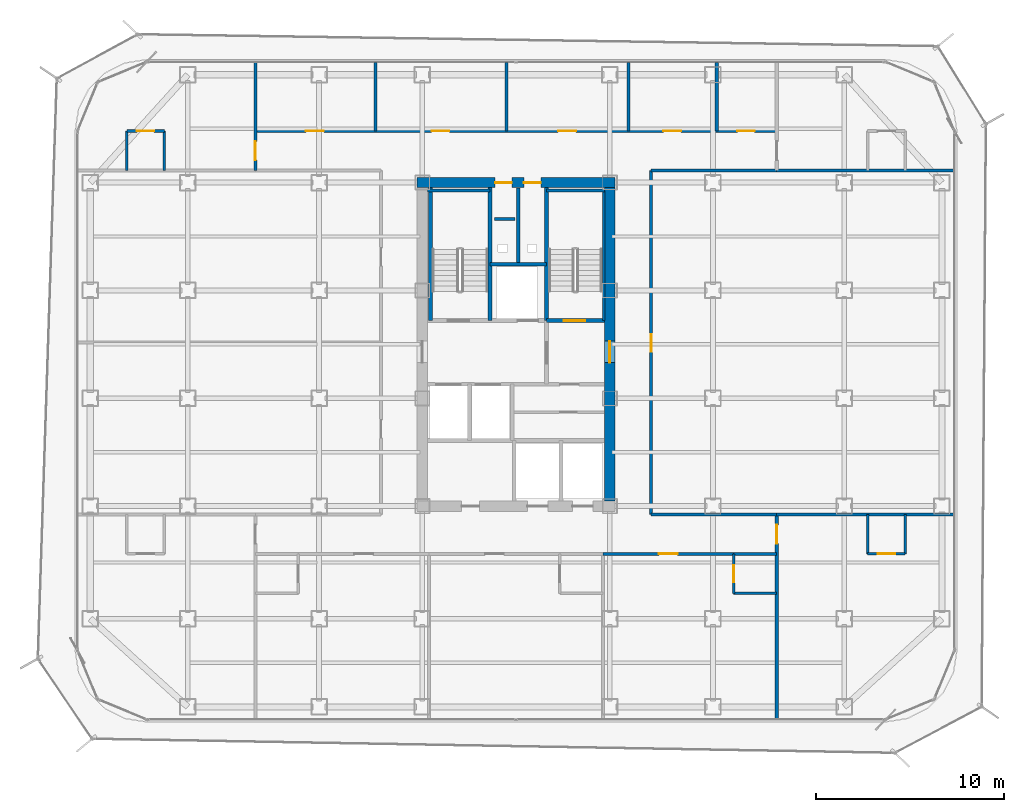
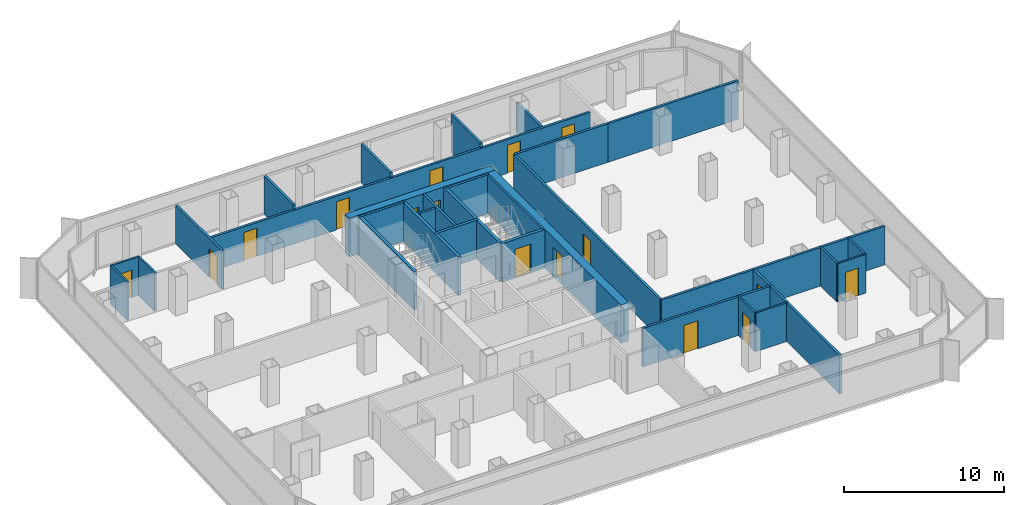
# One storey, part 17 of 21: 34 walls, 16 doors, 16 openings.
"""IFC4 building model written with IfcOpenShell, lengths in metres."""

from ifc_helpers import new_model, si_unit, direction, frame, frame_2d, origin, place, context, subcontext, project, spatial, rectangle, extrude, material, layer, layer_set, type_object, element, fill, save


model = new_model("IFC4")

# Units and contexts
model_context = context("Model", 3, precision=1e-05, world=origin(), true_north=direction((0.0, 1.0)))
body_context = subcontext(model_context, "Body", "Model", "MODEL_VIEW")
ifc_project = project(units=[si_unit("LENGTHUNIT", "METRE"), si_unit("AREAUNIT", "SQUARE_METRE"), si_unit("VOLUMEUNIT", "CUBIC_METRE"), si_unit("PLANEANGLEUNIT", "RADIAN"), si_unit("MASSUNIT", "GRAM", prefix="KILO")], contexts=[model_context])

# Site, building, storey
site_placement = place(None, origin())
site = spatial("IfcSite", under=ifc_project, at=site_placement, CompositionType="ELEMENT")
building_placement = place(site_placement, origin())
building = spatial("IfcBuilding", under=site, at=building_placement, Name="Kolveth Station Tower", CompositionType="ELEMENT")
storey_placement = place(building_placement, frame((0.0, 0.0, 127.89990234375)))
storey = spatial("IfcBuildingStorey", under=building, at=storey_placement, Name="L35", CompositionType="ELEMENT", Elevation=127.89990234375)

# Wall, openings, doors
ifc_material_1 = material(Name="Concrete C60/75", Category="concrete")
ifc_layer_1 = layer(ifc_material_1, 0.550048828125)
ifc_layer_set_1 = layer_set([ifc_layer_1], Name="Concrete C60/75")
wall_type_1 = type_object("IfcWallType", Name="Wall_CW-550", PredefinedType="SHEAR", material=ifc_layer_set_1)
wall_1_placement = place(storey_placement, frame((18.22509765625, 28.75, 0.0), z_axis=(0.0, 0.0, 1.0), x_axis=(1.0, 0.0, 0.0)))
wall_1 = element("IfcWall", 1, at=wall_1_placement, inside=storey, type_object=wall_type_1, Name="L35 Core RC Shear Wall N", PredefinedType="SHEAR", context=body_context, shape_type="SweptSolid", body=[
    extrude(rectangle(XDim=10.5498046875, YDim=0.550048828125, at=frame_2d((5.27490234375, 0.0))), origin(), (0.0, 0.0, 1.0), 2.9501953125),
])
opening_1_placement = place(wall_1_placement, frame((4.155029296875, 0.0, 0.0)))
opening_1 = element("IfcOpeningElement", 2, at=opening_1_placement, cuts=wall_1, Name="Opening RD1", PredefinedType="OPENING", context=body_context, shape_type="SweptSolid", body=[
    extrude(rectangle(XDim=0.89990234375, YDim=2.050048828125, at=frame_2d((0.449951171875, 1.02490234375))), frame((0.0, 0.284912109375, 0.0), z_axis=(0.0, -1.0, 0.0), x_axis=(1.0, 0.0, 0.0)), (0.0, 0.0, 1.0), 0.570068359375),
])
opening_2_placement = place(wall_1_placement, frame((5.695068359375, 0.0, 0.0)))
opening_2 = element("IfcOpeningElement", 3, at=opening_2_placement, cuts=wall_1, Name="Opening RD1", PredefinedType="OPENING", context=body_context, shape_type="SweptSolid", body=[
    extrude(rectangle(XDim=0.89990234375, YDim=2.050048828125, at=frame_2d((0.449951171875, 1.02490234375))), frame((0.0, 0.284912109375, 0.0), z_axis=(0.0, -1.0, 0.0), x_axis=(1.0, 0.0, 0.0)), (0.0, 0.0, 1.0), 0.570068359375),
])
ifc_material_2 = material(Name="Fire-rated Steel S355 riser access leaf", Category="steel")
door_type_1 = type_object("IfcDoorType", Name="Door_RD1", OperationType="NOTDEFINED", PredefinedType="DOOR", material=ifc_material_2)
door_1_placement = place(opening_1_placement, origin())
door_1 = element("IfcDoor", 4, at=door_1_placement, inside=storey, type_object=door_type_1, Name="L35 Electrical Riser Access Door", OperationType="SINGLE_SWING_LEFT", OverallHeight=2.050048828125, OverallWidth=0.89990234375, PredefinedType="DOOR", context=body_context, shape_type="SweptSolid", body=[
    extrude(rectangle(XDim=0.89990234375, YDim=2.050048828125, at=frame_2d((0.449951171875, 1.02490234375))), frame((0.0, 0.02490234375, 0.0), z_axis=(0.0, -1.0, 0.0), x_axis=(1.0, 0.0, 0.0)), (0.0, 0.0, 1.0), 0.050048828125),
])
fill(opening_1, door_1)
door_2_placement = place(opening_2_placement, origin())
door_2 = element("IfcDoor", 5, at=door_2_placement, inside=storey, type_object=door_type_1, Name="L35 Smoke Duct Access Door", OperationType="SINGLE_SWING_LEFT", OverallHeight=2.050048828125, OverallWidth=0.89990234375, PredefinedType="DOOR", context=body_context, shape_type="SweptSolid", body=[
    extrude(rectangle(XDim=0.89990234375, YDim=2.050048828125, at=frame_2d((0.449951171875, 1.02490234375))), frame((0.0, 0.02490234375, 0.0), z_axis=(0.0, -1.0, 0.0), x_axis=(1.0, 0.0, 0.0)), (0.0, 0.0, 1.0), 0.050048828125),
])
fill(opening_2, door_2)

# Wall, opening, door
wall_2_placement = place(storey_placement, frame((28.5, 11.77490234375, 0.0), z_axis=(0.0, 0.0, 1.0), x_axis=(0.0, 1.0, 0.0)))
wall_2 = element("IfcWall", 6, at=wall_2_placement, inside=storey, type_object=wall_type_1, Name="L35 Core RC Shear Wall E", PredefinedType="SHEAR", context=body_context, shape_type="SweptSolid", body=[
    extrude(rectangle(XDim=16.7001953125, YDim=0.550048828125, at=frame_2d((8.35009765625, 0.0))), origin(), (0.0, 0.0, 1.0), 2.9501953125),
])
opening_3_placement = place(wall_2_placement, frame((7.375, 0.0, 0.0)))
opening_3 = element("IfcOpeningElement", 7, at=opening_3_placement, cuts=wall_2, Name="Opening FD1", PredefinedType="OPENING", context=body_context, shape_type="SweptSolid", body=[
    extrude(rectangle(XDim=1.14990234375, YDim=2.199951171875, at=frame_2d((0.574951171875, 1.10009765625))), frame((0.0, 0.284912109375, 0.0), z_axis=(0.0, -1.0, 0.0), x_axis=(1.0, 0.0, 0.0)), (0.0, 0.0, 1.0), 0.570068359375),
])
ifc_material_3 = material(Name="Fire-rated Steel S355 leaf and frame", Category="steel")
door_type_2 = type_object("IfcDoorType", Name="Door_FD1", OperationType="NOTDEFINED", PredefinedType="DOOR", material=ifc_material_3)
door_3_placement = place(opening_3_placement, origin())
door_3 = element("IfcDoor", 8, at=door_3_placement, inside=storey, type_object=door_type_2, Name="L35 East Corridor to Stair Lobby Door", OperationType="SINGLE_SWING_LEFT", OverallHeight=2.199951171875, OverallWidth=1.14990234375, PredefinedType="DOOR", context=body_context, shape_type="SweptSolid", body=[
    extrude(rectangle(XDim=1.14990234375, YDim=2.199951171875, at=frame_2d((0.574951171875, 1.10009765625))), frame((0.0, 0.02490234375, 0.0), z_axis=(0.0, -1.0, 0.0), x_axis=(1.0, 0.0, 0.0)), (0.0, 0.0, 1.0), 0.050048828125),
])
fill(opening_3, door_3)

# Walls
ifc_material_4 = material(Name="Moisture-resistant gypsum partition")
ifc_layer_2 = layer(ifc_material_4, 0.135009765625)
ifc_layer_set_2 = layer_set([ifc_layer_2], Name="Moisture-resistant gypsum partition")
wall_type_2 = type_object("IfcWallType", Name="Wall_IW-135", PredefinedType="PARTITIONING", material=ifc_layer_set_2)
wall_3_placement = place(storey_placement, frame((28.16748046875, 21.389892578125, 0.0), z_axis=(0.0, 0.0, 1.0), x_axis=(0.0, 1.0, 0.0)))
element("IfcWall", 9, at=wall_3_placement, inside=storey, type_object=wall_type_2, Name="L35 Stair Shaft Wall WL-L35-ST2-E", PredefinedType="PARTITIONING", context=body_context, shape_type="SweptSolid", body=[
    extrude(rectangle(XDim=6.945068359375, YDim=0.135009765625, at=frame_2d((3.47265625, 0.0))), origin(), (0.0, 0.0, 1.0), 2.9501953125),
])
for number, where, z_axis, x_axis, name in (
    (10, (2.75, 29.39990234375, 0.0), (0.0, 0.0, 1.0), (0.0, 1.0, 0.0), "L35 Partition Wall WL-L35-WS2-BV1"),
    (11, (4.75, 29.39990234375, 0.0), (0.0, 0.0, 1.0), (0.0, 1.0, 0.0), "L35 Partition Wall WL-L35-WS2-BV2"),
):
    element("IfcWall", number, at=place(storey_placement, frame(where, z_axis=z_axis, x_axis=x_axis)), inside=storey, type_object=wall_type_2, Name=name, PredefinedType="PARTITIONING", context=body_context, shape_type="SweptSolid", body=[
        extrude(rectangle(XDim=2.10009765625, YDim=0.135009765625, at=frame_2d((1.050048828125, 0.0))), origin(), (0.0, 0.0, 1.0), 2.9501953125),
    ])

# Wall, opening, door
wall_4_placement = place(storey_placement, frame((2.75, 31.5, 0.0), z_axis=(0.0, 0.0, 1.0), x_axis=(1.0, 0.0, 0.0)))
wall_4 = element("IfcWall", 12, at=wall_4_placement, inside=storey, type_object=wall_type_2, Name="L35 Partition Wall WL-L35-WS2-BH", PredefinedType="PARTITIONING", context=body_context, shape_type="SweptSolid", body=[
    extrude(rectangle(XDim=2.0, YDim=0.135009765625, at=frame_2d((1.0, 0.0))), origin(), (0.0, 0.0, 1.0), 2.9501953125),
])
opening_4_placement = place(wall_4_placement, frame((0.5400390625, 0.0, 0.0)))
opening_4 = element("IfcOpeningElement", 13, at=opening_4_placement, cuts=wall_4, Name="Opening ID2", PredefinedType="OPENING", context=body_context, shape_type="SweptSolid", body=[
    extrude(rectangle(XDim=0.919921875, YDim=2.10009765625, at=frame_2d((0.4599609375, 1.050048828125))), frame((0.0, 0.077392578125, 0.0), z_axis=(0.0, -1.0, 0.0), x_axis=(1.0, 0.0, 0.0)), (0.0, 0.0, 1.0), 0.155029296875),
])
ifc_material_5 = material(Name="Moisture-resistant hardwood leaf", Category="wood")
door_type_3 = type_object("IfcDoorType", Name="Door_ID2", OperationType="NOTDEFINED", PredefinedType="DOOR", material=ifc_material_5)
door_4_placement = place(opening_4_placement, frame((0.919921875, 0.0, 0.0), z_axis=(0.0, 0.0, 1.0), x_axis=(-1.0, 0.0, 0.0)))
door_4 = element("IfcDoor", 14, at=door_4_placement, inside=storey, type_object=door_type_3, Name="L35 Hotel Guest Room WS2 En-Suite Door", OperationType="SINGLE_SWING_LEFT", OverallHeight=2.10009765625, OverallWidth=0.919921875, PredefinedType="DOOR", context=body_context, shape_type="SweptSolid", body=[
    extrude(rectangle(XDim=0.919921875, YDim=2.10009765625, at=frame_2d((0.4599609375, 1.050048828125))), frame((0.0, 0.02490234375, 0.0), z_axis=(0.0, -1.0, 0.0), x_axis=(1.0, 0.0, 0.0)), (0.0, 0.0, 1.0), 0.050048828125),
])
fill(opening_4, door_4)

# Walls
for number, where, z_axis, x_axis, name in (
    (15, (42.25, 8.949951171875, 0.0), (0.0, 0.0, 1.0), (0.0, 1.0, 0.0), "L35 Partition Wall WL-L35-ES1-BV1"),
    (16, (44.25, 8.949951171875, 0.0), (0.0, 0.0, 1.0), (0.0, 1.0, 0.0), "L35 Partition Wall WL-L35-ES1-BV2"),
):
    element("IfcWall", number, at=place(storey_placement, frame(where, z_axis=z_axis, x_axis=x_axis)), inside=storey, type_object=wall_type_2, Name=name, PredefinedType="PARTITIONING", context=body_context, shape_type="SweptSolid", body=[
        extrude(rectangle(XDim=2.10009765625, YDim=0.135009765625, at=frame_2d((1.050048828125, 0.0))), origin(), (0.0, 0.0, 1.0), 2.9501953125),
    ])

# Wall, opening, door
wall_5_placement = place(storey_placement, frame((42.25, 8.949951171875, 0.0), z_axis=(0.0, 0.0, 1.0), x_axis=(1.0, 0.0, 0.0)))
wall_5 = element("IfcWall", 17, at=wall_5_placement, inside=storey, type_object=wall_type_2, Name="L35 Partition Wall WL-L35-ES1-BH", PredefinedType="PARTITIONING", context=body_context, shape_type="SweptSolid", body=[
    extrude(rectangle(XDim=2.0, YDim=0.135009765625, at=frame_2d((1.0, 0.0))), origin(), (0.0, 0.0, 1.0), 2.9501953125),
])
opening_5_placement = place(wall_5_placement, frame((0.5400390625, 0.0, 0.0)))
opening_5 = element("IfcOpeningElement", 18, at=opening_5_placement, cuts=wall_5, Name="Opening ID2", PredefinedType="OPENING", context=body_context, shape_type="SweptSolid", body=[
    extrude(rectangle(XDim=0.919921875, YDim=2.10009765625, at=frame_2d((0.4599609375, 1.050048828125))), frame((0.0, 0.077392578125, 0.0), z_axis=(0.0, -1.0, 0.0), x_axis=(1.0, 0.0, 0.0)), (0.0, 0.0, 1.0), 0.155029296875),
])
door_5_placement = place(opening_5_placement, origin())
door_5 = element("IfcDoor", 19, at=door_5_placement, inside=storey, type_object=door_type_3, Name="L35 Hotel Corner Suite ES1 En-Suite Door", OperationType="SINGLE_SWING_LEFT", OverallHeight=2.10009765625, OverallWidth=0.919921875, PredefinedType="DOOR", context=body_context, shape_type="SweptSolid", body=[
    extrude(rectangle(XDim=0.919921875, YDim=2.10009765625, at=frame_2d((0.4599609375, 1.050048828125))), frame((0.0, 0.02490234375, 0.0), z_axis=(0.0, -1.0, 0.0), x_axis=(1.0, 0.0, 0.0)), (0.0, 0.0, 1.0), 0.050048828125),
])
fill(opening_5, door_5)

wall_6_placement = place(storey_placement, frame((35.10009765625, 6.85009765625, 0.0), z_axis=(0.0, 0.0, 1.0), x_axis=(0.0, 1.0, 0.0)))
wall_6 = element("IfcWall", 20, at=wall_6_placement, inside=storey, type_object=wall_type_2, Name="L35 Partition Wall WL-L35-HS3-BV", PredefinedType="PARTITIONING", context=body_context, shape_type="SweptSolid", body=[
    extrude(rectangle(XDim=2.099853515625, YDim=0.135009765625, at=frame_2d((1.0498046875, 0.0))), origin(), (0.0, 0.0, 1.0), 2.9501953125),
])
opening_6_placement = place(wall_6_placement, frame((0.580078125, 0.0, 0.0)))
opening_6 = element("IfcOpeningElement", 21, at=opening_6_placement, cuts=wall_6, Name="Opening ID2", PredefinedType="OPENING", context=body_context, shape_type="SweptSolid", body=[
    extrude(rectangle(XDim=0.919921875, YDim=2.10009765625, at=frame_2d((0.4599609375, 1.050048828125))), frame((0.0, 0.077392578125, 0.0), z_axis=(0.0, -1.0, 0.0), x_axis=(1.0, 0.0, 0.0)), (0.0, 0.0, 1.0), 0.155029296875),
])
door_6_placement = place(opening_6_placement, origin())
door_6 = element("IfcDoor", 22, at=door_6_placement, inside=storey, type_object=door_type_3, Name="L35 Hotel Corner Suite HS3 En-Suite Door", OperationType="SINGLE_SWING_LEFT", OverallHeight=2.10009765625, OverallWidth=0.919921875, PredefinedType="DOOR", context=body_context, shape_type="SweptSolid", body=[
    extrude(rectangle(XDim=0.919921875, YDim=2.10009765625, at=frame_2d((0.4599609375, 1.050048828125))), frame((0.0, 0.02490234375, 0.0), z_axis=(0.0, -1.0, 0.0), x_axis=(1.0, 0.0, 0.0)), (0.0, 0.0, 1.0), 0.050048828125),
])
fill(opening_6, door_6)

# Walls
wall_7_placement = place(storey_placement, frame((35.10009765625, 6.85009765625, 0.0), z_axis=(0.0, 0.0, 1.0), x_axis=(1.0, 0.0, 0.0)))
element("IfcWall", 23, at=wall_7_placement, inside=storey, type_object=wall_type_2, Name="L35 Partition Wall WL-L35-HS3-BH", PredefinedType="PARTITIONING", context=body_context, shape_type="SweptSolid", body=[
    extrude(rectangle(XDim=2.2998046875, YDim=0.135009765625, at=frame_2d((1.14990234375, 0.0))), origin(), (0.0, 0.0, 1.0), 2.9501953125),
])
ifc_material_6 = material(Name="Acoustic double-stud gypsum partition")
ifc_layer_3 = layer(ifc_material_6, 0.1650390625)
ifc_layer_set_3 = layer_set([ifc_layer_3], Name="Acoustic double-stud gypsum partition")
wall_type_3 = type_object("IfcWallType", Name="Wall_IW-165", PredefinedType="PARTITIONING", material=ifc_layer_set_3)
wall_8_placement = place(storey_placement, frame((18.784912109375, 28.3349609375, 0.0), z_axis=(0.0, 0.0, 1.0), x_axis=(1.0, 0.0, 0.0)))
element("IfcWall", 24, at=wall_8_placement, inside=storey, type_object=wall_type_3, Name="L35 Stair Shaft Wall WL-L35-ST1-N", PredefinedType="PARTITIONING", context=body_context, shape_type="SweptSolid", body=[
    extrude(rectangle(XDim=3.3251953125, YDim=0.1650390625, at=frame_2d((1.66259765625, 0.0))), origin(), (0.0, 0.0, 1.0), 2.9501953125),
])
wall_9_placement = place(storey_placement, frame((25.1298828125, 28.3349609375, 0.0), z_axis=(0.0, 0.0, 1.0), x_axis=(1.0, 0.0, 0.0)))
element("IfcWall", 25, at=wall_9_placement, inside=storey, type_object=wall_type_3, Name="L35 Stair Shaft Wall WL-L35-ST2-N", PredefinedType="PARTITIONING", context=body_context, shape_type="SweptSolid", body=[
    extrude(rectangle(XDim=3.085205078125, YDim=0.1650390625, at=frame_2d((1.54248046875, 0.0))), origin(), (0.0, 0.0, 1.0), 2.9501953125),
])
wall_10_placement = place(storey_placement, frame((23.6201171875, 24.39990234375, 0.0), z_axis=(0.0, 0.0, 1.0), x_axis=(0.0, 1.0, 0.0)))
element("IfcWall", 26, at=wall_10_placement, inside=storey, type_object=wall_type_3, Name="L35 Partition Wall WL-L35-RSR-M", PredefinedType="PARTITIONING", context=body_context, shape_type="SweptSolid", body=[
    extrude(rectangle(XDim=4.065185546875, YDim=0.1650390625, at=frame_2d((2.03271484375, 0.0))), origin(), (0.0, 0.0, 1.0), 2.9501953125),
])

# Wall, openings, doors
wall_11_placement = place(storey_placement, frame((9.60009765625, 31.5, 0.0), z_axis=(0.0, 0.0, 1.0), x_axis=(1.0, 0.0, 0.0)))
wall_11 = element("IfcWall", 27, at=wall_11_placement, inside=storey, type_object=wall_type_3, Name="L35 Partition Wall WL-L35-HN", PredefinedType="PARTITIONING", context=body_context, shape_type="SweptSolid", body=[
    extrude(rectangle(XDim=27.7998046875, YDim=0.1650390625, at=frame_2d((13.89990234375, 0.0))), origin(), (0.0, 0.0, 1.0), 2.5830078125),
])
opening_7_placement = place(wall_11_placement, frame((2.699951171875, 0.0, 0.0)))
opening_7 = element("IfcOpeningElement", 28, at=opening_7_placement, cuts=wall_11, Name="Opening ID1", PredefinedType="OPENING", context=body_context, shape_type="SweptSolid", body=[
    extrude(rectangle(XDim=0.949951171875, YDim=2.14990234375, at=frame_2d((0.47509765625, 1.074951171875))), frame((0.0, 0.092529296875, 0.0), z_axis=(0.0, -1.0, 0.0), x_axis=(1.0, 0.0, 0.0)), (0.0, 0.0, 1.0), 0.18505859375),
])
opening_8_placement = place(wall_11_placement, frame((9.39990234375, 0.0, 0.0)))
opening_8 = element("IfcOpeningElement", 29, at=opening_8_placement, cuts=wall_11, Name="Opening ID1", PredefinedType="OPENING", context=body_context, shape_type="SweptSolid", body=[
    extrude(rectangle(XDim=0.949951171875, YDim=2.14990234375, at=frame_2d((0.47509765625, 1.074951171875))), frame((0.0, 0.092529296875, 0.0), z_axis=(0.0, -1.0, 0.0), x_axis=(1.0, 0.0, 0.0)), (0.0, 0.0, 1.0), 0.18505859375),
])
opening_9_placement = place(wall_11_placement, frame((16.14990234375, 0.0, 0.0)))
opening_9 = element("IfcOpeningElement", 30, at=opening_9_placement, cuts=wall_11, Name="Opening ID1", PredefinedType="OPENING", context=body_context, shape_type="SweptSolid", body=[
    extrude(rectangle(XDim=0.949951171875, YDim=2.14990234375, at=frame_2d((0.47509765625, 1.074951171875))), frame((0.0, 0.092529296875, 0.0), z_axis=(0.0, -1.0, 0.0), x_axis=(1.0, 0.0, 0.0)), (0.0, 0.0, 1.0), 0.18505859375),
])
opening_10_placement = place(wall_11_placement, frame((21.75, 0.0, 0.0)))
opening_10 = element("IfcOpeningElement", 31, at=opening_10_placement, cuts=wall_11, Name="Opening ID1", PredefinedType="OPENING", context=body_context, shape_type="SweptSolid", body=[
    extrude(rectangle(XDim=0.949951171875, YDim=2.14990234375, at=frame_2d((0.47509765625, 1.074951171875))), frame((0.0, 0.092529296875, 0.0), z_axis=(0.0, -1.0, 0.0), x_axis=(1.0, 0.0, 0.0)), (0.0, 0.0, 1.0), 0.18505859375),
])
opening_11_placement = place(wall_11_placement, frame((25.699951171875, 0.0, 0.0)))
opening_11 = element("IfcOpeningElement", 32, at=opening_11_placement, cuts=wall_11, Name="Opening ID2", PredefinedType="OPENING", context=body_context, shape_type="SweptSolid", body=[
    extrude(rectangle(XDim=0.919921875, YDim=2.10009765625, at=frame_2d((0.4599609375, 1.050048828125))), frame((0.0, 0.092529296875, 0.0), z_axis=(0.0, -1.0, 0.0), x_axis=(1.0, 0.0, 0.0)), (0.0, 0.0, 1.0), 0.18505859375),
])
ifc_material_7 = material(Name="Acoustic hardwood leaf and aluminium frame", Category="wood")
door_type_4 = type_object("IfcDoorType", Name="Door_ID1", OperationType="NOTDEFINED", PredefinedType="DOOR", material=ifc_material_7)
door_7_placement = place(opening_7_placement, origin())
door_7 = element("IfcDoor", 33, at=door_7_placement, inside=storey, type_object=door_type_4, Name="L35 Hospitality Management Office 1 Door", OperationType="SINGLE_SWING_LEFT", OverallHeight=2.14990234375, OverallWidth=0.949951171875, PredefinedType="DOOR", context=body_context, shape_type="SweptSolid", body=[
    extrude(rectangle(XDim=0.949951171875, YDim=2.14990234375, at=frame_2d((0.47509765625, 1.074951171875))), frame((0.0, 0.02490234375, 0.0), z_axis=(0.0, -1.0, 0.0), x_axis=(1.0, 0.0, 0.0)), (0.0, 0.0, 1.0), 0.050048828125),
])
fill(opening_7, door_7)
door_8_placement = place(opening_8_placement, origin())
door_8 = element("IfcDoor", 34, at=door_8_placement, inside=storey, type_object=door_type_4, Name="L35 Hospitality Management Office 2 Door", OperationType="SINGLE_SWING_RIGHT", OverallHeight=2.14990234375, OverallWidth=0.949951171875, PredefinedType="DOOR", context=body_context, shape_type="SweptSolid", body=[
    extrude(rectangle(XDim=0.949951171875, YDim=2.14990234375, at=frame_2d((0.47509765625, 1.074951171875))), frame((0.0, 0.02490234375, 0.0), z_axis=(0.0, -1.0, 0.0), x_axis=(1.0, 0.0, 0.0)), (0.0, 0.0, 1.0), 0.050048828125),
])
fill(opening_8, door_8)
door_9_placement = place(opening_9_placement, origin())
door_9 = element("IfcDoor", 35, at=door_9_placement, inside=storey, type_object=door_type_4, Name="L35 Events Coordination Office Door", OperationType="SINGLE_SWING_LEFT", OverallHeight=2.14990234375, OverallWidth=0.949951171875, PredefinedType="DOOR", context=body_context, shape_type="SweptSolid", body=[
    extrude(rectangle(XDim=0.949951171875, YDim=2.14990234375, at=frame_2d((0.47509765625, 1.074951171875))), frame((0.0, 0.02490234375, 0.0), z_axis=(0.0, -1.0, 0.0), x_axis=(1.0, 0.0, 0.0)), (0.0, 0.0, 1.0), 0.050048828125),
])
fill(opening_9, door_9)
door_10_placement = place(opening_10_placement, origin())
door_10 = element("IfcDoor", 36, at=door_10_placement, inside=storey, type_object=door_type_4, Name="L35 Floor Service Pantry Door", OperationType="SINGLE_SWING_LEFT", OverallHeight=2.14990234375, OverallWidth=0.949951171875, PredefinedType="DOOR", context=body_context, shape_type="SweptSolid", body=[
    extrude(rectangle(XDim=0.949951171875, YDim=2.14990234375, at=frame_2d((0.47509765625, 1.074951171875))), frame((0.0, 0.02490234375, 0.0), z_axis=(0.0, -1.0, 0.0), x_axis=(1.0, 0.0, 0.0)), (0.0, 0.0, 1.0), 0.050048828125),
])
fill(opening_10, door_10)
door_11_placement = place(opening_11_placement, origin())
door_11 = element("IfcDoor", 37, at=door_11_placement, inside=storey, type_object=door_type_3, Name="L35 Accessible Guest WC Door", OperationType="SINGLE_SWING_LEFT", OverallHeight=2.10009765625, OverallWidth=0.919921875, PredefinedType="DOOR", context=body_context, shape_type="SweptSolid", body=[
    extrude(rectangle(XDim=0.919921875, YDim=2.10009765625, at=frame_2d((0.4599609375, 1.050048828125))), frame((0.0, 0.02490234375, 0.0), z_axis=(0.0, -1.0, 0.0), x_axis=(1.0, 0.0, 0.0)), (0.0, 0.0, 1.0), 0.050048828125),
])
fill(opening_11, door_11)

# Walls
for number, where, z_axis, x_axis, name in (
    (38, (30.699951171875, 11.050048828125, 0.0), (0.0, 0.0, 1.0), (1.0, 0.0, 0.0), "L35 Partition Wall WL-L35-HSET"),
    (39, (30.699951171875, 29.39990234375, 0.0), (0.0, 0.0, 1.0), (1.0, 0.0, 0.0), "L35 Partition Wall WL-L35-HNEB"),
):
    element("IfcWall", number, at=place(storey_placement, frame(where, z_axis=z_axis, x_axis=x_axis)), inside=storey, type_object=wall_type_3, Name=name, PredefinedType="PARTITIONING", context=body_context, shape_type="SweptSolid", body=[
        extrude(rectangle(XDim=6.699951171875, YDim=0.1650390625, at=frame_2d((3.35009765625, 0.0))), origin(), (0.0, 0.0, 1.0), 2.9501953125),
    ])

# Wall, opening, door
wall_12_placement = place(storey_placement, frame((30.699951171875, 11.050048828125, 0.0), z_axis=(0.0, 0.0, 1.0), x_axis=(0.0, 1.0, 0.0)))
wall_12 = element("IfcWall", 40, at=wall_12_placement, inside=storey, type_object=wall_type_3, Name="L35 Partition Wall WL-L35-HE", PredefinedType="PARTITIONING", context=body_context, shape_type="SweptSolid", body=[
    extrude(rectangle(XDim=18.349853515625, YDim=0.1650390625, at=frame_2d((9.1748046875, 0.0))), origin(), (0.0, 0.0, 1.0), 2.9501953125),
])
opening_12_placement = place(wall_12_placement, frame((8.675048828125, 0.0, 0.0)))
opening_12 = element("IfcOpeningElement", 41, at=opening_12_placement, cuts=wall_12, Name="Opening ID1", PredefinedType="OPENING", context=body_context, shape_type="SweptSolid", body=[
    extrude(rectangle(XDim=0.949951171875, YDim=2.14990234375, at=frame_2d((0.47509765625, 1.074951171875))), frame((0.0, 0.092529296875, 0.0), z_axis=(0.0, -1.0, 0.0), x_axis=(1.0, 0.0, 0.0)), (0.0, 0.0, 1.0), 0.18505859375),
])
door_12_placement = place(opening_12_placement, origin())
door_12 = element("IfcDoor", 42, at=door_12_placement, inside=storey, type_object=door_type_4, Name="L35 Club Dining Lounge Door", OperationType="SINGLE_SWING_RIGHT", OverallHeight=2.14990234375, OverallWidth=0.949951171875, PredefinedType="DOOR", context=body_context, shape_type="SweptSolid", body=[
    extrude(rectangle(XDim=0.949951171875, YDim=2.14990234375, at=frame_2d((0.47509765625, 1.074951171875))), frame((0.0, 0.02490234375, 0.0), z_axis=(0.0, -1.0, 0.0), x_axis=(1.0, 0.0, 0.0)), (0.0, 0.0, 1.0), 0.050048828125),
])
fill(opening_12, door_12)

wall_13_placement = place(storey_placement, frame((9.60009765625, 29.39990234375, 0.0), z_axis=(0.0, 0.0, 1.0), x_axis=(0.0, 1.0, 0.0)))
wall_13 = element("IfcWall", 43, at=wall_13_placement, inside=storey, type_object=wall_type_3, Name="L35 Partition Wall WL-L35-END-WN", PredefinedType="PARTITIONING", context=body_context, shape_type="SweptSolid", body=[
    extrude(rectangle(XDim=5.739990234375, YDim=0.1650390625, at=frame_2d((2.8701171875, 0.0))), origin(), (0.0, 0.0, 1.0), 2.9501953125),
])
opening_13_placement = place(wall_13_placement, frame((0.550048828125, 0.0, 0.0)))
opening_13 = element("IfcOpeningElement", 44, at=opening_13_placement, cuts=wall_13, Name="Opening FD3", PredefinedType="OPENING", context=body_context, shape_type="SweptSolid", body=[
    extrude(rectangle(XDim=1.0, YDim=2.14990234375, at=frame_2d((0.5, 1.074951171875))), frame((0.0, 0.092529296875, 0.0), z_axis=(0.0, -1.0, 0.0), x_axis=(1.0, 0.0, 0.0)), (0.0, 0.0, 1.0), 0.18505859375),
])
ifc_material_8 = material(Name="Fire-rated hardwood leaf and aluminium frame", Category="wood")
door_type_5 = type_object("IfcDoorType", Name="Door_FD3", OperationType="NOTDEFINED", PredefinedType="DOOR", material=ifc_material_8)
door_13_placement = place(opening_13_placement, origin())
door_13 = element("IfcDoor", 45, at=door_13_placement, inside=storey, type_object=door_type_5, Name="L35 Hotel Guest Room WS2 Entrance Door", OperationType="SINGLE_SWING_RIGHT", OverallHeight=2.14990234375, OverallWidth=1.0, PredefinedType="DOOR", context=body_context, shape_type="SweptSolid", body=[
    extrude(rectangle(XDim=1.0, YDim=2.14990234375, at=frame_2d((0.5, 1.074951171875))), frame((0.0, 0.02490234375, 0.0), z_axis=(0.0, -1.0, 0.0), x_axis=(1.0, 0.0, 0.0)), (0.0, 0.0, 1.0), 0.050048828125),
])
fill(opening_13, door_13)

wall_14_placement = place(storey_placement, frame((37.39990234375, 0.159912109375, 0.0), z_axis=(0.0, 0.0, 1.0), x_axis=(0.0, 1.0, 0.0)))
wall_14 = element("IfcWall", 46, at=wall_14_placement, inside=storey, type_object=wall_type_3, Name="L35 Partition Wall WL-L35-END-ES", PredefinedType="PARTITIONING", context=body_context, shape_type="SweptSolid", body=[
    extrude(rectangle(XDim=10.89013671875, YDim=0.1650390625, at=frame_2d((5.445068359375, 0.0))), origin(), (0.0, 0.0, 1.0), 2.9501953125),
])
opening_14_placement = place(wall_14_placement, frame((9.340087890625, 0.0, 0.0)))
opening_14 = element("IfcOpeningElement", 47, at=opening_14_placement, cuts=wall_14, Name="Opening FD3", PredefinedType="OPENING", context=body_context, shape_type="SweptSolid", body=[
    extrude(rectangle(XDim=1.0, YDim=2.14990234375, at=frame_2d((0.5, 1.074951171875))), frame((0.0, 0.092529296875, 0.0), z_axis=(0.0, -1.0, 0.0), x_axis=(1.0, 0.0, 0.0)), (0.0, 0.0, 1.0), 0.18505859375),
])
door_14_placement = place(opening_14_placement, frame((1.0, 0.0, 0.0), z_axis=(0.0, 0.0, 1.0), x_axis=(-1.0, 0.0, 0.0)))
door_14 = element("IfcDoor", 48, at=door_14_placement, inside=storey, type_object=door_type_5, Name="L35 Hotel Corner Suite ES1 Entrance Door", OperationType="SINGLE_SWING_RIGHT", OverallHeight=2.14990234375, OverallWidth=1.0, PredefinedType="DOOR", context=body_context, shape_type="SweptSolid", body=[
    extrude(rectangle(XDim=1.0, YDim=2.14990234375, at=frame_2d((0.5, 1.074951171875))), frame((0.0, 0.02490234375, 0.0), z_axis=(0.0, -1.0, 0.0), x_axis=(1.0, 0.0, 0.0)), (0.0, 0.0, 1.0), 0.050048828125),
])
fill(opening_14, door_14)

# Walls
for number, where, z_axis, x_axis, name in (
    (49, (37.39990234375, 11.050048828125, 0.0), (0.0, 0.0, 1.0), (1.0, 0.0, 0.0), "L35 Partition Wall WL-L35-EM1"),
    (50, (37.39990234375, 29.39990234375, 0.0), (0.0, 0.0, 1.0), (1.0, 0.0, 0.0), "L35 Partition Wall WL-L35-EM2"),
):
    element("IfcWall", number, at=place(storey_placement, frame(where, z_axis=z_axis, x_axis=x_axis)), inside=storey, type_object=wall_type_3, Name=name, PredefinedType="PARTITIONING", context=body_context, shape_type="SweptSolid", body=[
        extrude(rectangle(XDim=9.440185546875, YDim=0.1650390625, at=frame_2d((4.72021484375, 0.0))), origin(), (0.0, 0.0, 1.0), 2.9501953125),
    ])
wall_15_placement = place(storey_placement, frame((35.10009765625, 8.949951171875, 0.0), z_axis=(0.0, 0.0, 1.0), x_axis=(1.0, 0.0, 0.0)))
element("IfcWall", 51, at=wall_15_placement, inside=storey, type_object=wall_type_3, Name="L35 Partition Wall WL-L35-HS3-BCOR", PredefinedType="PARTITIONING", context=body_context, shape_type="SweptSolid", body=[
    extrude(rectangle(XDim=2.2998046875, YDim=0.1650390625, at=frame_2d((1.14990234375, 0.0))), origin(), (0.0, 0.0, 1.0), 2.9501953125),
])

# Wall, opening, door
wall_16_placement = place(storey_placement, frame((28.133056640625, 8.949951171875, 0.0), z_axis=(0.0, 0.0, 1.0), x_axis=(1.0, 0.0, 0.0)))
wall_16 = element("IfcWall", 52, at=wall_16_placement, inside=storey, type_object=wall_type_3, Name="L35 Partition Wall WL-L35-HS3-RCOR", PredefinedType="PARTITIONING", context=body_context, shape_type="SweptSolid", body=[
    extrude(rectangle(XDim=6.967041015625, YDim=0.1650390625, at=frame_2d((3.4833984375, 0.0))), origin(), (0.0, 0.0, 1.0), 2.9501953125),
])
opening_15_placement = place(wall_16_placement, frame((2.98388671875, 0.0, 0.0)))
opening_15 = element("IfcOpeningElement", 53, at=opening_15_placement, cuts=wall_16, Name="Opening FD3", PredefinedType="OPENING", context=body_context, shape_type="SweptSolid", body=[
    extrude(rectangle(XDim=1.0, YDim=2.14990234375, at=frame_2d((0.5, 1.074951171875))), frame((0.0, 0.092529296875, 0.0), z_axis=(0.0, -1.0, 0.0), x_axis=(1.0, 0.0, 0.0)), (0.0, 0.0, 1.0), 0.18505859375),
])
door_15_placement = place(opening_15_placement, frame((1.0, 0.0, 0.0), z_axis=(0.0, 0.0, 1.0), x_axis=(-1.0, 0.0, 0.0)))
door_15 = element("IfcDoor", 54, at=door_15_placement, inside=storey, type_object=door_type_5, Name="L35 Hotel Corner Suite HS3 Entrance Door", OperationType="SINGLE_SWING_RIGHT", OverallHeight=2.14990234375, OverallWidth=1.0, PredefinedType="DOOR", context=body_context, shape_type="SweptSolid", body=[
    extrude(rectangle(XDim=1.0, YDim=2.14990234375, at=frame_2d((0.5, 1.074951171875))), frame((0.0, 0.02490234375, 0.0), z_axis=(0.0, -1.0, 0.0), x_axis=(1.0, 0.0, 0.0)), (0.0, 0.0, 1.0), 0.050048828125),
])
fill(opening_15, door_15)

# Walls
for number, where, z_axis, x_axis, name in (
    (55, (16.0, 31.5, 0.0), (0.0, 0.0, 1.0), (0.0, 1.0, 0.0), "L35 Partition Wall WL-L35-HN-P1"),
    (56, (23.0, 31.5, 0.0), (0.0, 0.0, 1.0), (0.0, 1.0, 0.0), "L35 Partition Wall WL-L35-HN-P2"),
    (57, (29.5, 31.5, 0.0), (0.0, 0.0, 1.0), (0.0, 1.0, 0.0), "L35 Partition Wall WL-L35-HN-P3"),
):
    element("IfcWall", number, at=place(storey_placement, frame(where, z_axis=z_axis, x_axis=x_axis)), inside=storey, type_object=wall_type_3, Name=name, PredefinedType="PARTITIONING", context=body_context, shape_type="SweptSolid", body=[
        extrude(rectangle(XDim=3.639892578125, YDim=0.1650390625, at=frame_2d((1.81982421875, 0.0))), origin(), (0.0, 0.0, 1.0), 2.9501953125),
    ])
wall_17_placement = place(storey_placement, frame((34.199951171875, 31.5, 0.0), z_axis=(0.0, 0.0, 1.0), x_axis=(0.0, 1.0, 0.0)))
element("IfcWall", 58, at=wall_17_placement, inside=storey, type_object=wall_type_3, Name="L35 Partition Wall WL-L35-HN-P4", PredefinedType="PARTITIONING", context=body_context, shape_type="SweptSolid", body=[
    extrude(rectangle(XDim=3.639892578125, YDim=0.1650390625, at=frame_2d((1.81982421875, 0.0))), origin(), (0.0, 0.0, 1.0), 2.2470703125),
])
wall_18_placement = place(storey_placement, frame((22.35009765625, 26.800048828125, 0.0), z_axis=(0.0, 0.0, 1.0), x_axis=(1.0, 0.0, 0.0)))
element("IfcWall", 59, at=wall_18_placement, inside=storey, type_object=wall_type_3, Name="L35 Acoustic Riser Dry-Lining Wall", PredefinedType="PARTITIONING", context=body_context, shape_type="SweptSolid", body=[
    extrude(rectangle(XDim=1.099853515625, YDim=0.1650390625, at=frame_2d((0.5498046875, 0.0))), origin(), (0.0, 0.0, 1.0), 2.9501953125),
])
ifc_material_9 = material(Name="Acoustic fire-rated gypsum blockwork", Category="masonry")
ifc_layer_4 = layer(ifc_material_9, 0.199951171875)
ifc_layer_set_4 = layer_set([ifc_layer_4], Name="Acoustic fire-rated gypsum blockwork")
wall_type_4 = type_object("IfcWallType", Name="Wall_IW-200", PredefinedType="PARTITIONING", material=ifc_layer_set_4)
wall_19_placement = place(storey_placement, frame((22.110107421875, 24.39990234375, 0.0), z_axis=(0.0, 0.0, 1.0), x_axis=(1.0, 0.0, 0.0)))
element("IfcWall", 60, at=wall_19_placement, inside=storey, type_object=wall_type_4, Name="L35 Partition Wall WL-L35-RSR-S", PredefinedType="PARTITIONING", context=body_context, shape_type="SweptSolid", body=[
    extrude(rectangle(XDim=3.019775390625, YDim=0.199951171875, at=frame_2d((1.509765625, 0.0))), origin(), (0.0, 0.0, 1.0), 2.9501953125),
])
ifc_material_10 = material(Name="Concrete C40/50", Category="concrete")
ifc_layer_5 = layer(ifc_material_10, 0.219970703125)
ifc_layer_set_5 = layer_set([ifc_layer_5], Name="Concrete C40/50")
wall_type_5 = type_object("IfcWallType", Name="Wall_IW-220", PredefinedType="SOLIDWALL", material=ifc_layer_set_5)
for number, where, z_axis, x_axis, name in (
    (61, (18.929931640625, 21.389892578125, 0.0), (0.0, 0.0, 1.0), (0.0, 1.0, 0.0), "L35 Stair Shaft Wall WL-L35-ST1-W"),
    (62, (22.110107421875, 21.389892578125, 0.0), (0.0, 0.0, 1.0), (0.0, 1.0, 0.0), "L35 Stair Shaft Wall WL-L35-ST1-E"),
    (63, (25.1298828125, 21.389892578125, 0.0), (0.0, 0.0, 1.0), (0.0, 1.0, 0.0), "L35 Stair Shaft Wall WL-L35-ST2-W"),
):
    element("IfcWall", number, at=place(storey_placement, frame(where, z_axis=z_axis, x_axis=x_axis)), inside=storey, type_object=wall_type_5, Name=name, PredefinedType="SOLIDWALL", context=body_context, shape_type="SweptSolid", body=[
        extrude(rectangle(XDim=7.110107421875, YDim=0.219970703125, at=frame_2d((3.55517578125, 0.0))), origin(), (0.0, 0.0, 1.0), 2.9501953125),
    ])

# Wall, opening, door
wall_20_placement = place(storey_placement, frame((25.1298828125, 21.389892578125, 0.0), z_axis=(0.0, 0.0, 1.0), x_axis=(1.0, 0.0, 0.0)))
wall_20 = element("IfcWall", 64, at=wall_20_placement, inside=storey, type_object=wall_type_5, Name="L35 Stair Shaft Wall WL-L35-ST2-S", PredefinedType="SOLIDWALL", context=body_context, shape_type="SweptSolid", body=[
    extrude(rectangle(XDim=3.085205078125, YDim=0.219970703125, at=frame_2d((1.54248046875, 0.0))), origin(), (0.0, 0.0, 1.0), 2.9501953125),
])
opening_16_placement = place(wall_20_placement, frame((0.919921875, 0.0, 0.0)))
opening_16 = element("IfcOpeningElement", 65, at=opening_16_placement, cuts=wall_20, Name="Opening FD1", PredefinedType="OPENING", context=body_context, shape_type="SweptSolid", body=[
    extrude(rectangle(XDim=1.14990234375, YDim=2.199951171875, at=frame_2d((0.574951171875, 1.10009765625))), frame((0.0, 0.119873046875, 0.0), z_axis=(0.0, -1.0, 0.0), x_axis=(1.0, 0.0, 0.0)), (0.0, 0.0, 1.0), 0.239990234375),
])
door_16_placement = place(opening_16_placement, frame((1.14990234375, 0.0, 0.0), z_axis=(0.0, 0.0, 1.0), x_axis=(-1.0, 0.0, 0.0)))
door_16 = element("IfcDoor", 66, at=door_16_placement, inside=storey, type_object=door_type_2, Name="L35 Stair ST2 Fire Door", OperationType="SINGLE_SWING_RIGHT", OverallHeight=2.199951171875, OverallWidth=1.14990234375, PredefinedType="DOOR", context=body_context, shape_type="SweptSolid", body=[
    extrude(rectangle(XDim=1.14990234375, YDim=2.199951171875, at=frame_2d((0.574951171875, 1.10009765625))), frame((0.0, 0.02490234375, 0.0), z_axis=(0.0, -1.0, 0.0), x_axis=(1.0, 0.0, 0.0)), (0.0, 0.0, 1.0), 0.050048828125),
])
fill(opening_16, door_16)

save(model, "model.ifc")
